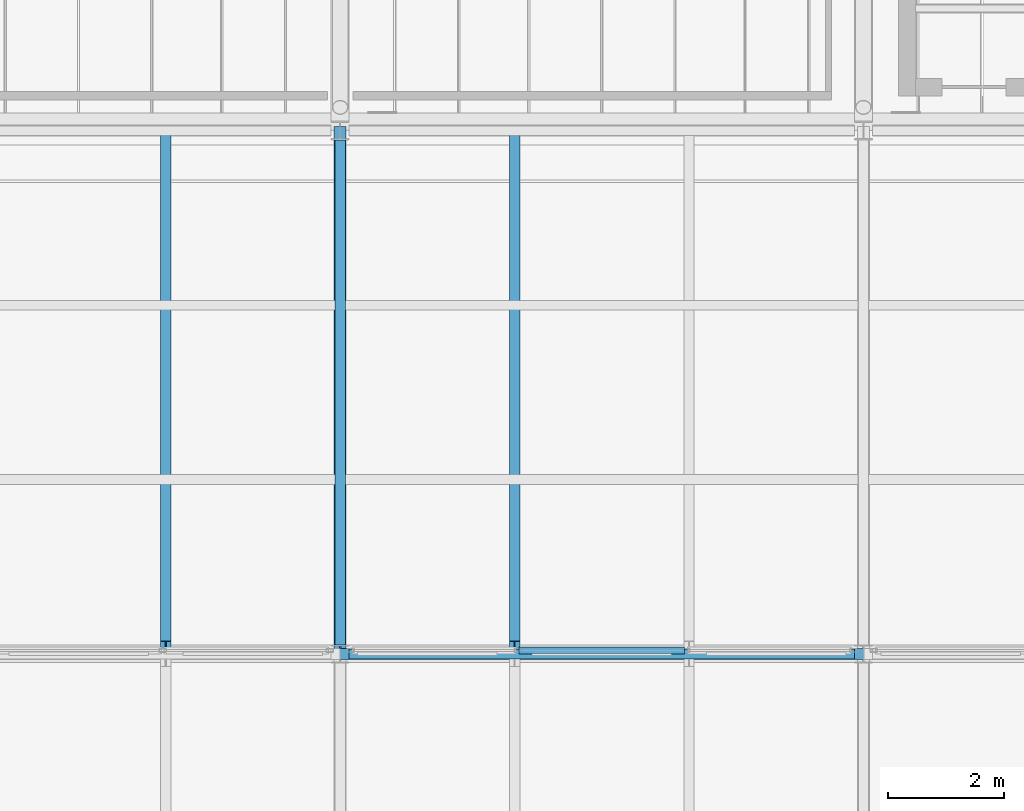
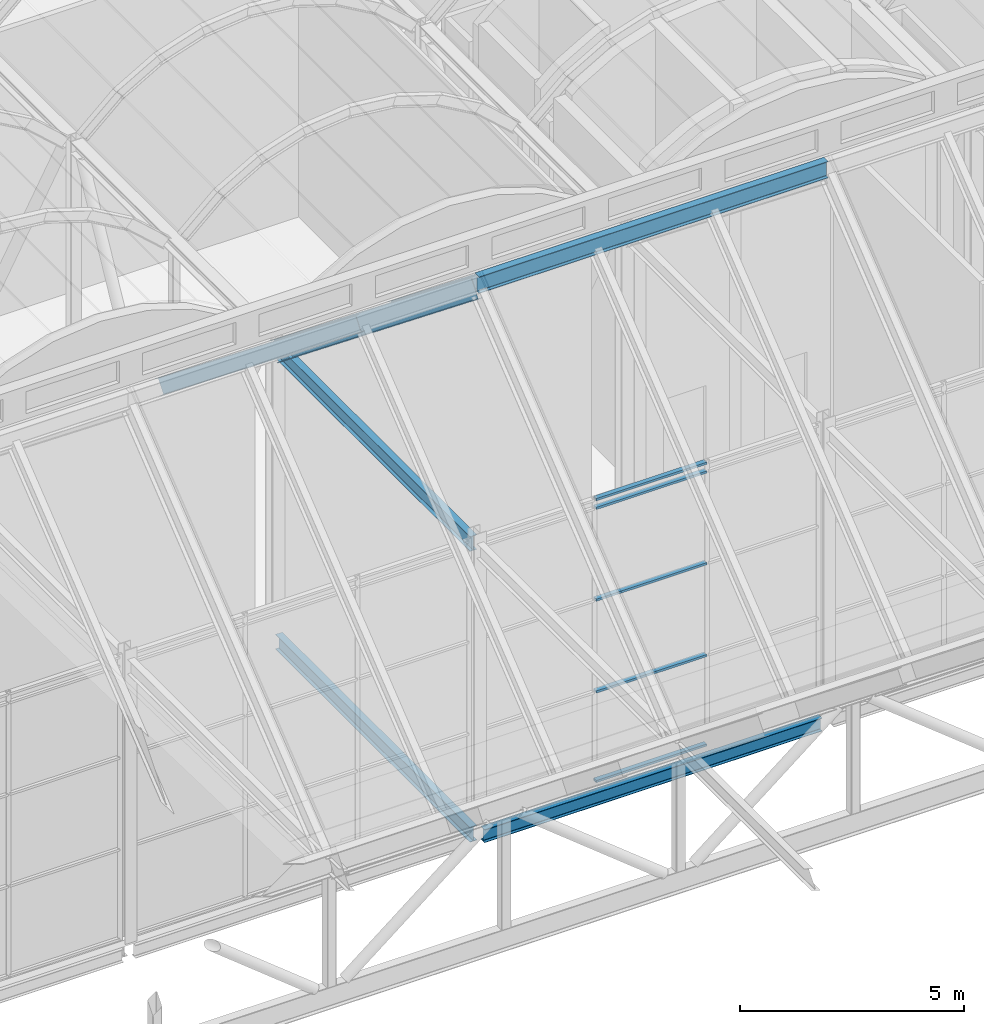
# One storey, part 76 of 144: 8 members, 4 beams, 1 element without a shape of its own.
"""IFC4 building model written with IfcOpenShell, lengths in metres."""

import ifcopenshell
import ifcopenshell.guid

model = None  # the IFC model being written
_history = None  # IfcOwnerHistory: only IFC2X3 demands one
_inside = {}  # id of a spatial element -> (the spatial element, [elements in it])
_under = {}  # id of a project, library or spatial element -> (it, [spatial elements below it])
_declared = {}  # id of a project -> (the project, [libraries it declares])
_typed = {}  # id of a type object -> (the type object, [elements of that type])
_made_of = {}  # id of a material, layer set ... -> (it, [elements and type objects made of it])


def new_model(schema):
    """Start an empty IFC model of exactly this schema.

    Asked for "IFC4X3", IfcOpenShell would pick the latest addendum, in which some entities
    have other attributes; the version numbers below select the first issue.
    IFC2X3 requires an IfcOwnerHistory on every rooted entity: one is made here for all.
    """
    global model, _history
    if schema == "IFC4X3":
        model = ifcopenshell.file(schema_version=(4, 3, 0, 0))
    else:
        model = ifcopenshell.file(schema=schema)
    _inside.clear()
    _under.clear()
    _declared.clear()
    _typed.clear()
    _made_of.clear()
    _history = None
    if model.schema == "IFC2X3":
        org = make("IfcOrganization", Name="unknown")
        user = make(
            "IfcPersonAndOrganization",
            ThePerson=make("IfcPerson", FamilyName="unknown"),
            TheOrganization=org,
        )
        app = make(
            "IfcApplication",
            ApplicationDeveloper=org,
            Version="unknown",
            ApplicationFullName="unknown",
            ApplicationIdentifier="unknown",
        )
        _history = make(
            "IfcOwnerHistory",
            OwningUser=user,
            OwningApplication=app,
            ChangeAction="ADDED",
            CreationDate=0,
        )
    return model


def make(cls, **values):
    """One entity of the class cls with the attributes given. An attribute that is None is left unset."""
    return model.create_entity(
        cls, **{name: value for name, value in values.items() if value is not None}
    )


def rooted(cls, **values):
    """An entity with a GlobalId (a new one), such as an element, a storey or a relation."""
    return make(cls, GlobalId=ifcopenshell.guid.new(), OwnerHistory=_history, **values)


def si_unit(unit_type, name, prefix=None):
    """IfcSIUnit, for example si_unit("LENGTHUNIT", "METRE", prefix="MILLI")."""
    return make("IfcSIUnit", UnitType=unit_type, Prefix=prefix, Name=name)


def assignment(units):
    """IfcUnitAssignment: the units of a project."""
    return None if units is None else make("IfcUnitAssignment", Units=units)


def point(xyz):
    """IfcCartesianPoint."""
    return None if xyz is None else make("IfcCartesianPoint", Coordinates=xyz)


def direction(xyz):
    """IfcDirection."""
    return None if xyz is None else make("IfcDirection", DirectionRatios=xyz)


def frame(location, z_axis=None, x_axis=None):
    """IfcAxis2Placement3D, a coordinate frame: its origin and axes. An axis left out is left unset."""
    return make(
        "IfcAxis2Placement3D",
        Location=point(location),
        Axis=direction(z_axis),
        RefDirection=direction(x_axis),
    )


def frame_2d(location, x_axis=None):
    """IfcAxis2Placement2D, a coordinate frame in the plane: its origin and x axis."""
    return make(
        "IfcAxis2Placement2D", Location=point(location), RefDirection=direction(x_axis)
    )


def origin():
    """The frame at (0, 0, 0) with its axes left unset."""
    return frame((0.0, 0.0, 0.0))


def origin_2d():
    """The frame at (0, 0) in the plane with its x axis left unset."""
    return frame_2d((0.0, 0.0))


def place(relative_to, where):
    """IfcLocalPlacement: puts the frame where relative to a parent placement (None: the world)."""
    return make(
        "IfcLocalPlacement", PlacementRelTo=relative_to, RelativePlacement=where
    )


def context(
    kind, dimensions, precision=None, world=None, true_north=None, identifier=None
):
    """IfcGeometricRepresentationContext, for example the 3D "Model" context."""
    return make(
        "IfcGeometricRepresentationContext",
        ContextIdentifier=identifier,
        ContextType=kind,
        CoordinateSpaceDimension=dimensions,
        Precision=precision,
        WorldCoordinateSystem=world,
        TrueNorth=true_north,
    )


def subcontext(parent, identifier, kind, view, scale=None):
    """IfcGeometricRepresentationSubContext, for example "Body" below "Model"."""
    return make(
        "IfcGeometricRepresentationSubContext",
        ContextIdentifier=identifier,
        ContextType=kind,
        ParentContext=parent,
        TargetScale=scale,
        TargetView=view,
    )


def project(units=None, contexts=None):
    """IfcProject with its units and contexts."""
    return rooted(
        "IfcProject",
        Name="project",
        RepresentationContexts=contexts,
        UnitsInContext=assignment(units),
    )


def spatial(cls, under=None, at=None, **own):
    """A site, building, storey or space (cls), placed at a placement, below another one or the project."""
    s = rooted(cls, ObjectPlacement=at, **own)
    if under is not None:
        _under.setdefault(under.id(), (under, []))[1].append(s)
    return s


def profile(cls, at=None, kind="AREA", **sizes):
    """A parametric profile (cls). Its sizes go by their IFC names, for example OverallWidth=200.0."""
    return make(cls, ProfileType=kind, Position=at, **sizes)


def hollow_rectangle(**sizes):
    """IfcRectangleHollowProfileDef."""
    return profile("IfcRectangleHollowProfileDef", **sizes)


def i_section(**sizes):
    """IfcIShapeProfileDef."""
    return profile("IfcIShapeProfileDef", **sizes)


def extrude(swept, where, along, depth):
    """IfcExtrudedAreaSolid: the profile swept, set in the frame where, extruded along a direction by depth."""
    return make(
        "IfcExtrudedAreaSolid",
        SweptArea=swept,
        Position=where,
        ExtrudedDirection=direction(along),
        Depth=depth,
    )


def shape(context_of_items, identifier, shape_type, items):
    """IfcShapeRepresentation: the items that make up one representation, for example the "Body"."""
    return make(
        "IfcShapeRepresentation",
        ContextOfItems=context_of_items,
        RepresentationIdentifier=identifier,
        RepresentationType=shape_type,
        Items=items,
    )


def material(Name=None, Category=None):
    """IfcMaterial."""
    return make("IfcMaterial", Name=Name, Category=Category)


def layer(
    of_material, thickness, ventilated=None, Name=None, Category=None, Priority=None
):
    """IfcMaterialLayer: one layer of a wall or slab, of a material (None: an air gap)."""
    return make(
        "IfcMaterialLayer",
        Material=of_material,
        LayerThickness=thickness,
        IsVentilated=ventilated,
        Name=Name,
        Category=Category,
        Priority=Priority,
    )


def layer_set(layers, Name=None):
    """IfcMaterialLayerSet."""
    return make("IfcMaterialLayerSet", MaterialLayers=layers, LayerSetName=Name)


def material_profile(
    of_material, cross_section, Name=None, Category=None, Priority=None
):
    """IfcMaterialProfile: a cross section and its material."""
    return make(
        "IfcMaterialProfile",
        Name=Name,
        Material=of_material,
        Profile=cross_section,
        Priority=Priority,
        Category=Category,
    )


def profile_set(profiles, Name=None, composite=None):
    """IfcMaterialProfileSet."""
    return make(
        "IfcMaterialProfileSet",
        Name=Name,
        MaterialProfiles=profiles,
        CompositeProfile=composite,
    )


def made_of(thing, what):
    """Note that an element or type object is made of a material, layer set ...; save() writes the relation."""
    if what is not None:
        _made_of.setdefault(what.id(), (what, []))[1].append(thing)
    return thing


def type_object(cls, material=None, **own):
    """A type object (cls), such as IfcWallType, which elements share."""
    return made_of(rooted(cls, **own), material)


def element(
    cls,
    number,
    at=None,
    inside=None,
    cuts=None,
    type_object=None,
    material=None,
    context=None,
    identifier="Body",
    shape_type=None,
    held_by="IfcProductDefinitionShape",
    body=None,
    shapes=None,
    **own,
):
    """One element of the class cls, such as IfcWall. Its Tag is "e" and its number.

    at: its placement. inside: the storey or other place that contains it. cuts: it is an
    opening in that element (IfcRelVoidsElement). A single representation is given by context,
    identifier, shape_type and body (its items); several are given by shapes. held_by: the class
    of the entity that holds the representations. save() writes the other relations.
    """
    e = rooted(cls, Tag="e%d" % number, ObjectPlacement=at, **own)
    if body is not None:
        shapes = [shape(context, identifier, shape_type, body)]
    if shapes is not None:
        e.Representation = make(held_by, Representations=shapes)
    if inside is not None:
        _inside.setdefault(inside.id(), (inside, []))[1].append(e)
    if cuts is not None:
        rooted(
            "IfcRelVoidsElement", RelatingBuildingElement=cuts, RelatedOpeningElement=e
        )
    if type_object is not None:
        _typed.setdefault(type_object.id(), (type_object, []))[1].append(e)
    return made_of(e, material)


def aggregate(whole, parts):
    """IfcRelAggregates: a whole, such as a stair, and the parts it consists of."""
    return rooted("IfcRelAggregates", RelatingObject=whole, RelatedObjects=parts)


def save(model, path):
    """Write the relations noted so far, then the file.

    IfcRelAggregates (storeys below a building ...), IfcRelContainedInSpatialStructure (elements
    in a storey), IfcRelDefinesByType, IfcRelAssociatesMaterial and IfcRelDeclares: one each for
    every whole, place, type object, material and project.
    """
    for whole, parts in _under.values():
        aggregate(whole, parts)
    for where, things in _inside.values():
        rooted(
            "IfcRelContainedInSpatialStructure",
            RelatedElements=things,
            RelatingStructure=where,
        )
    for kind, things in _typed.values():
        rooted("IfcRelDefinesByType", RelatedObjects=things, RelatingType=kind)
    for what, things in _made_of.values():
        rooted("IfcRelAssociatesMaterial", RelatedObjects=things, RelatingMaterial=what)
    for by, libraries in _declared.values():
        rooted("IfcRelDeclares", RelatingContext=by, RelatedDefinitions=libraries)
    model.write(path)


model = new_model("IFC4")

# Units and contexts
model_context = context("Model", 3, precision=1e-05, world=origin(), true_north=direction((0.0, 1.0)))
body_context = subcontext(model_context, "Body", "Model", "MODEL_VIEW")
ifc_project = project(units=[si_unit("LENGTHUNIT", "METRE"), si_unit("AREAUNIT", "SQUARE_METRE"), si_unit("VOLUMEUNIT", "CUBIC_METRE"), si_unit("PLANEANGLEUNIT", "RADIAN"), si_unit("MASSUNIT", "GRAM", prefix="KILO")], contexts=[model_context])

# Site, building, storey
site_placement = place(None, origin())
site = spatial("IfcSite", under=ifc_project, at=site_placement, CompositionType="ELEMENT")
building_placement = place(site_placement, origin())
building = spatial("IfcBuilding", under=site, at=building_placement, Name="Shorebreak Coast Museum", CompositionType="ELEMENT")
storey_placement = place(building_placement, frame((0.0, 0.0, 36.0)))
storey = spatial("IfcBuildingStorey", under=building, at=storey_placement, Name="L06", CompositionType="ELEMENT", Elevation=36.0)

# Beams
ifc_material_1 = material(Name="Steel Grade 300", Category="steel")
ifc_material_profile_1 = material_profile(ifc_material_1, i_section(OverallWidth=0.1708984375, OverallDepth=0.355712890625, WebThickness=0.00732421875, FlangeThickness=0.011474609375, FilletRadius=0.011474609375, at=origin_2d()), Name="360UB50.7")
ifc_profile_set_1 = profile_set([ifc_material_profile_1], Name="Steel Grade 300")
beam_type_1 = type_object("IfcBeamType", Name="Floor girder east-west 360UB50.7", PredefinedType="BEAM", material=ifc_profile_set_1)
beam_1_placement = place(storey_placement, frame((90.153564453125, 81.0, -0.352783203125), z_axis=(1.0, 0.0, 0.0), x_axis=(0.0, 1.0, 0.0)))
element("IfcBeam", 1, at=beam_1_placement, inside=storey, type_object=beam_type_1, Name="Floor girder east-west L06 11K", PredefinedType="BEAM", context=body_context, shape_type="SweptSolid", body=[
    extrude(i_section(OverallWidth=0.1708984375, OverallDepth=0.355712890625, WebThickness=0.00732421875, FlangeThickness=0.011474609375, FilletRadius=0.011474609375, at=origin_2d()), origin(), (0.0, 0.0, 1.0), 8.69287109375),
])
ifc_material_2 = material(Name="Steel Grade 300", Category="steel")
ifc_material_profile_2 = material_profile(ifc_material_2, i_section(OverallWidth=0.177978515625, OverallDepth=0.406494140625, WebThickness=0.0078125, FlangeThickness=0.0126953125, FilletRadius=0.011474609375, at=origin_2d()), Name="410UB59.7")
ifc_profile_set_2 = profile_set([ifc_material_profile_2], Name="Steel Grade 300")
beam_type_2 = type_object("IfcBeamType", Name="Floor girder north-south 410UB59.7", PredefinedType="BEAM", material=ifc_profile_set_2)
beam_2_placement = place(storey_placement, frame((90.0, 81.1572265625, -0.378173828125), z_axis=(0.0, 1.0, 0.0), x_axis=(-1.0, 0.0, 0.0)))
element("IfcBeam", 2, at=beam_2_placement, inside=storey, type_object=beam_type_2, Name="Floor girder north-south L06 11K", PredefinedType="BEAM", context=body_context, shape_type="SweptSolid", body=[
    extrude(i_section(OverallWidth=0.177978515625, OverallDepth=0.406494140625, WebThickness=0.0078125, FlangeThickness=0.0126953125, FilletRadius=0.011474609375, at=origin_2d()), origin(), (0.0, 0.0, 1.0), 8.67919921875),
])

# Members
ifc_material_3 = material(Name="Steel Grade 300", Category="steel")
ifc_material_profile_3 = material_profile(ifc_material_3, i_section(OverallWidth=0.177978515625, OverallDepth=0.402587890625, WebThickness=0.007568359375, FlangeThickness=0.010986328125, FilletRadius=0.011474609375, at=origin_2d()), Name="410UB53.7")
ifc_profile_set_3 = profile_set([ifc_material_profile_3], Name="Steel Grade 300")
member_type_1 = type_object("IfcMemberType", Name="Fold rafter 410UB53.7", PredefinedType="RAFTER", material=ifc_profile_set_3)
for number, where, z_axis, x_axis, name in (
    (3, (87.0, 81.094970703125, 14.610107421875), (0.0, 0.780866698312, -0.624697686459), (-1.0, 0.0, 0.0), "Fold rafter FOLD-X line 4 12"),
    (4, (93.0, 81.094970703125, 14.610107421875), (0.0, 0.780866698312, -0.624697686459), (-1.0, 0.0, 0.0), "Fold rafter FOLD-X line 4 14"),
):
    element("IfcMember", number, at=place(storey_placement, frame(where, z_axis=z_axis, x_axis=x_axis)), inside=storey, type_object=member_type_1, Name=name, PredefinedType="RAFTER", context=body_context, shape_type="SweptSolid", body=[
        extrude(i_section(OverallWidth=0.177978515625, OverallDepth=0.402587890625, WebThickness=0.007568359375, FlangeThickness=0.010986328125, FilletRadius=0.011474609375, at=origin_2d()), origin(), (0.0, 0.0, 1.0), 11.282470703125),
    ])
ifc_material_4 = material(Name="Steel Grade 300", Category="steel")
ifc_material_profile_4 = material_profile(ifc_material_4, i_section(OverallWidth=0.208984375, OverallDepth=0.5283203125, WebThickness=0.009521484375, FlangeThickness=0.01318359375, FilletRadius=0.013916015625, at=origin_2d()), Name="530UB82.0")
ifc_profile_set_4 = profile_set([ifc_material_profile_4], Name="Steel Grade 300")
member_type_2 = type_object("IfcMemberType", Name="Fold rib rafter 530UB82.0", PredefinedType="RAFTER", material=ifc_profile_set_4)
member_1_placement = place(storey_placement, frame((90.0, 81.094970703125, 14.52978515625), z_axis=(0.0, 0.780866698312, -0.624697686459), x_axis=(-1.0, 0.0, 0.0)))
element("IfcMember", 5, at=member_1_placement, inside=storey, type_object=member_type_2, Name="Fold rib rafter FOLD-X line 4 13", PredefinedType="RAFTER", context=body_context, shape_type="SweptSolid", body=[
    extrude(i_section(OverallWidth=0.208984375, OverallDepth=0.5283203125, WebThickness=0.009521484375, FlangeThickness=0.01318359375, FilletRadius=0.013916015625, at=origin_2d()), origin(), (0.0, 0.0, 1.0), 11.282470703125),
])

# Beams
ifc_material_5 = material(Name="Steel Grade 300", Category="steel")
ifc_material_profile_5 = material_profile(ifc_material_5, i_section(OverallWidth=0.177978515625, OverallDepth=0.402587890625, WebThickness=0.007568359375, FlangeThickness=0.010986328125, FilletRadius=0.011474609375, at=origin_2d()), Name="410UB53.7")
ifc_profile_set_5 = profile_set([ifc_material_profile_5], Name="Steel Grade 300")
beam_type_3 = type_object("IfcBeamType", Name="Fold rib tie 410UB53.7", PredefinedType="BEAM", material=ifc_profile_set_5)
beam_3_placement = place(storey_placement, frame((90.0, 81.1572265625, 7.54248046875), z_axis=(0.0, 1.0, 0.0), x_axis=(-1.0, 0.0, 0.0)))
element("IfcBeam", 6, at=beam_3_placement, inside=storey, type_object=beam_type_3, Name="Fold rib tie FOLD-X rib 11 K-L", PredefinedType="BEAM", context=body_context, shape_type="SweptSolid", body=[
    extrude(i_section(OverallWidth=0.177978515625, OverallDepth=0.402587890625, WebThickness=0.007568359375, FlangeThickness=0.010986328125, FilletRadius=0.011474609375, at=origin_2d()), origin(), (0.0, 0.0, 1.0), 8.67919921875),
])
ifc_material_6 = material(Name="Steel Grade 300", Category="steel")
ifc_material_profile_6 = material_profile(ifc_material_6, i_section(OverallWidth=0.18994140625, OverallDepth=0.453857421875, WebThickness=0.008544921875, FlangeThickness=0.0126953125, FilletRadius=0.011474609375, at=origin_2d()), Name="460UB67.1")
ifc_profile_set_6 = profile_set([ifc_material_profile_6], Name="Steel Grade 300")
beam_type_4 = type_object("IfcBeamType", Name="Fold ridge beam 460UB67.1", PredefinedType="BEAM", material=ifc_profile_set_6)
beam_4_placement = place(storey_placement, frame((90.0, 81.0, 14.717041015625), z_axis=(1.0, 0.0, 0.0), x_axis=(0.0, 1.0, 0.0)))
element("IfcBeam", 7, at=beam_4_placement, inside=storey, type_object=beam_type_4, Name="Fold ridge beam FOLD-X line K bay 11K", PredefinedType="BEAM", context=body_context, shape_type="SweptSolid", body=[
    extrude(i_section(OverallWidth=0.18994140625, OverallDepth=0.453857421875, WebThickness=0.008544921875, FlangeThickness=0.0126953125, FilletRadius=0.011474609375, at=origin_2d()), origin(), (0.0, 0.0, 1.0), 9.0),
])

# Curtain wall, members
ifc_material_7 = material(Name="Aluminium", Category="aluminium")
ifc_layer = layer(ifc_material_7, 0.1201171875)
ifc_layer_set = layer_set([ifc_layer], Name="Aluminium")
curtain_wall_type = type_object("IfcCurtainWallType", Name="Atrium fire screen", PredefinedType="NOTDEFINED", material=ifc_layer_set)
curtain_wall_placement = place(storey_placement, origin())
curtain_wall = element("IfcCurtainWall", 8, at=curtain_wall_placement, inside=storey, type_object=curtain_wall_type, Name="Atrium screen L06 N 87", PredefinedType="NOTDEFINED")
ifc_material_8 = material(Name="Aluminium", Category="aluminium")
ifc_material_profile_7 = material_profile(ifc_material_8, hollow_rectangle(XDim=0.1201171875, YDim=0.06005859375, WallThickness=0.00341796875, at=origin_2d()), Name="AL 60x120 RHS")
ifc_profile_set_7 = profile_set([ifc_material_profile_7], Name="Aluminium")
member_type_3 = type_object("IfcMemberType", Name="Screen transom 120 x 50", PredefinedType="USERDEFINED", material=ifc_profile_set_7)
member_2_placement = place(storey_placement, frame((93.076171875, 81.06005859375, 0.06005859375), z_axis=(1.0, 0.0, 0.0), x_axis=(0.0, 1.0, 0.0)))
member_2 = element("IfcMember", 9, at=member_2_placement, type_object=member_type_3, Name="CW4 transom 2.1", ObjectType="TRANSOM", PredefinedType="USERDEFINED", context=body_context, shape_type="SweptSolid", body=[
    extrude(hollow_rectangle(XDim=0.1201171875, YDim=0.06005859375, WallThickness=0.00341796875, at=origin_2d()), origin(), (0.0, 0.0, 1.0), 2.84765625),
])
member_3_placement = place(storey_placement, frame((93.076171875, 81.06005859375, 2.5), z_axis=(1.0, 0.0, 0.0), x_axis=(0.0, 1.0, 0.0)))
member_3 = element("IfcMember", 10, at=member_3_placement, type_object=member_type_3, Name="CW4 transom 2.2", ObjectType="TRANSOM", PredefinedType="USERDEFINED", context=body_context, shape_type="SweptSolid", body=[
    extrude(hollow_rectangle(XDim=0.1201171875, YDim=0.06005859375, WallThickness=0.00341796875, at=origin_2d()), origin(), (0.0, 0.0, 1.0), 2.84765625),
])
member_4_placement = place(storey_placement, frame((93.076171875, 81.06005859375, 5.0), z_axis=(1.0, 0.0, 0.0), x_axis=(0.0, 1.0, 0.0)))
member_4 = element("IfcMember", 11, at=member_4_placement, type_object=member_type_3, Name="CW4 transom 2.3", ObjectType="TRANSOM", PredefinedType="USERDEFINED", context=body_context, shape_type="SweptSolid", body=[
    extrude(hollow_rectangle(XDim=0.1201171875, YDim=0.06005859375, WallThickness=0.00341796875, at=origin_2d()), origin(), (0.0, 0.0, 1.0), 2.84765625),
])
member_5_placement = place(storey_placement, frame((93.076171875, 81.06005859375, 7.5), z_axis=(1.0, 0.0, 0.0), x_axis=(0.0, 1.0, 0.0)))
member_5 = element("IfcMember", 12, at=member_5_placement, type_object=member_type_3, Name="CW4 transom 2.4", ObjectType="TRANSOM", PredefinedType="USERDEFINED", context=body_context, shape_type="SweptSolid", body=[
    extrude(hollow_rectangle(XDim=0.1201171875, YDim=0.06005859375, WallThickness=0.00341796875, at=origin_2d()), origin(), (0.0, 0.0, 1.0), 2.84765625),
])
member_6_placement = place(storey_placement, frame((93.076171875, 81.06005859375, 7.739990234375), z_axis=(1.0, 0.0, 0.0), x_axis=(0.0, 1.0, 0.0)))
member_6 = element("IfcMember", 13, at=member_6_placement, type_object=member_type_3, Name="CW4 transom 2.5", ObjectType="TRANSOM", PredefinedType="USERDEFINED", context=body_context, shape_type="SweptSolid", body=[
    extrude(hollow_rectangle(XDim=0.1201171875, YDim=0.06005859375, WallThickness=0.00341796875, at=origin_2d()), origin(), (0.0, 0.0, 1.0), 2.84765625),
])
aggregate(curtain_wall, [member_2, member_3, member_4, member_5, member_6])

save(model, "model.ifc")
